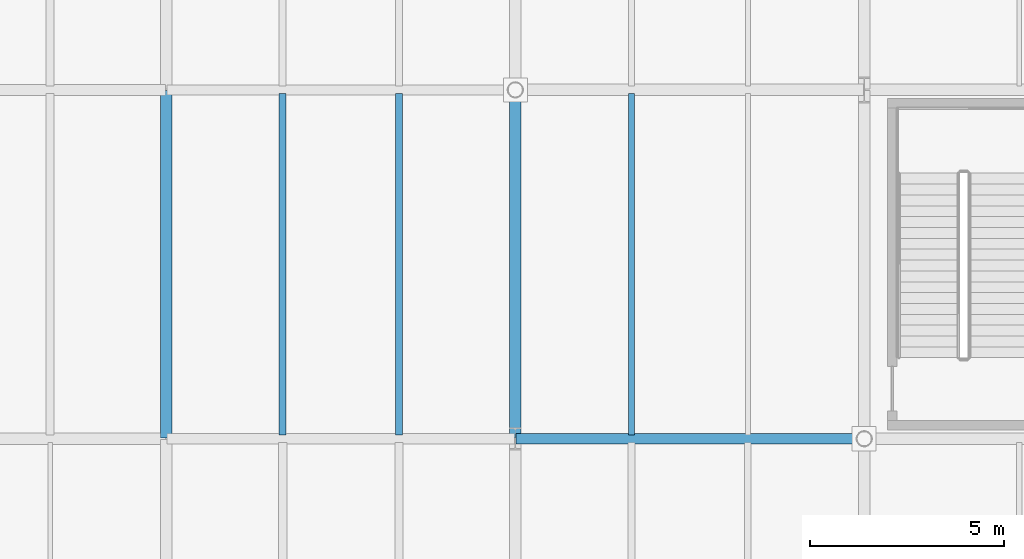
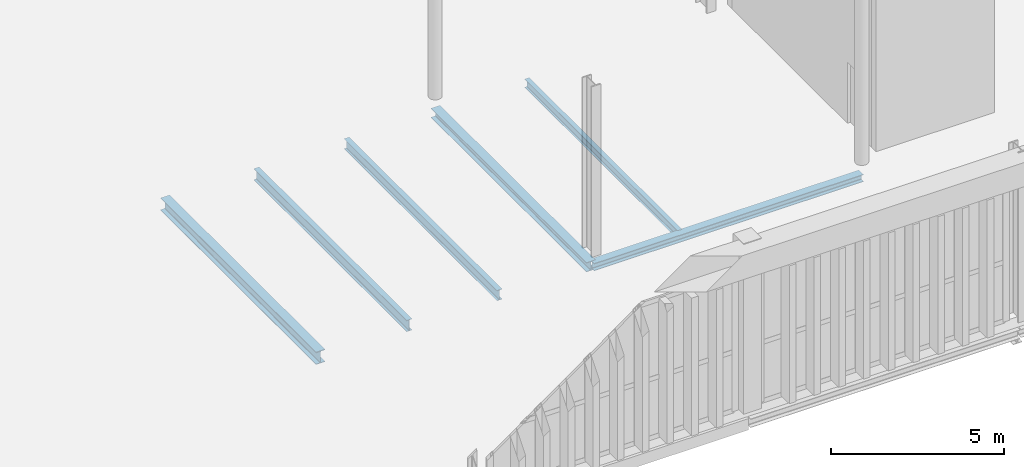
# One storey, part 118 of 237: 6 beams.
"""IFC4 building model written with IfcOpenShell, lengths in metres."""

from ifc_helpers import new_model, si_unit, direction, frame, origin, origin_2d, place, context, subcontext, project, spatial, i_section, extrude, material, material_profile, profile_set, type_object, element, save


model = new_model("IFC4")

# Units and contexts
model_context = context("Model", 3, precision=1e-05, world=origin(), true_north=direction((0.0, 1.0)))
body_context = subcontext(model_context, "Body", "Model", "MODEL_VIEW")
ifc_project = project(units=[si_unit("LENGTHUNIT", "METRE"), si_unit("AREAUNIT", "SQUARE_METRE"), si_unit("VOLUMEUNIT", "CUBIC_METRE"), si_unit("PLANEANGLEUNIT", "RADIAN"), si_unit("MASSUNIT", "GRAM", prefix="KILO")], contexts=[model_context])

# Site, building, storey
site_placement = place(None, origin())
site = spatial("IfcSite", under=ifc_project, at=site_placement, CompositionType="ELEMENT")
building_placement = place(site_placement, origin())
building = spatial("IfcBuilding", under=site, at=building_placement, Name="Barlavento Convention Centre", CompositionType="ELEMENT")
storey_placement = place(building_placement, frame((0.0, 0.0, 12.0)))
storey = spatial("IfcBuildingStorey", under=building, at=storey_placement, Name="L02", CompositionType="ELEMENT", Elevation=12.0)

# Beams
ifc_material = material(Name="Steel S355", Category="steel")
ifc_material_profile_1 = material_profile(ifc_material, i_section(OverallWidth=0.14990234375, OverallDepth=0.300048828125, WebThickness=0.007080078125, FlangeThickness=0.0107421875, FilletRadius=0.014892578125, at=origin_2d()), Name="IPE 300")
ifc_profile_set_1 = profile_set([ifc_material_profile_1], Name="Steel S355")
beam_type_1 = type_object("IfcBeamType", Name="STR-BM-JST-IPE300", PredefinedType="JOIST", material=ifc_profile_set_1)
beam_1_placement = place(storey_placement, frame((174.0, 9.094970703125, -0.52001953125), z_axis=(0.0, 1.0, 0.0), x_axis=(-1.0, 0.0, 0.0)))
element("IfcBeam", 1, at=beam_1_placement, inside=storey, type_object=beam_type_1, Name="L02 composite floor joist SJ07", PredefinedType="JOIST", context=body_context, shape_type="SweptSolid", body=[
    extrude(i_section(OverallWidth=0.14990234375, OverallDepth=0.300048828125, WebThickness=0.007080078125, FlangeThickness=0.0107421875, FilletRadius=0.014892578125, at=origin_2d()), origin(), (0.0, 0.0, 1.0), 8.81005859375),
])
ifc_material_profile_2 = material_profile(ifc_material, i_section(OverallWidth=0.169921875, OverallDepth=0.360107421875, WebThickness=0.008056640625, FlangeThickness=0.0126953125, FilletRadius=0.01806640625, at=origin_2d()), Name="IPE 360")
ifc_profile_set_2 = profile_set([ifc_material_profile_2], Name="Steel S355")
beam_type_2 = type_object("IfcBeamType", Name="STR-BM-JST-IPE360", PredefinedType="JOIST", material=ifc_profile_set_2)
beam_2_placement = place(storey_placement, frame((168.0, 9.094970703125, -0.550048828125), z_axis=(0.0, 1.0, 0.0), x_axis=(-1.0, 0.0, 0.0)))
element("IfcBeam", 2, at=beam_2_placement, inside=storey, type_object=beam_type_2, Name="L02 composite floor joist SJ05", PredefinedType="JOIST", context=body_context, shape_type="SweptSolid", body=[
    extrude(i_section(OverallWidth=0.169921875, OverallDepth=0.360107421875, WebThickness=0.008056640625, FlangeThickness=0.0126953125, FilletRadius=0.01806640625, at=origin_2d()), origin(), (0.0, 0.0, 1.0), 8.81005859375),
])
ifc_material_profile_3 = material_profile(ifc_material, i_section(OverallWidth=0.179931640625, OverallDepth=0.39990234375, WebThickness=0.008544921875, FlangeThickness=0.013427734375, FilletRadius=0.02099609375, at=origin_2d()), Name="IPE 400")
ifc_profile_set_3 = profile_set([ifc_material_profile_3], Name="Steel S355")
beam_type_3 = type_object("IfcBeamType", Name="STR-BM-JST-IPE400", PredefinedType="JOIST", material=ifc_profile_set_3)
beam_3_placement = place(storey_placement, frame((165.0, 9.094970703125, -0.570068359375), z_axis=(0.0, 1.0, 0.0), x_axis=(-1.0, 0.0, 0.0)))
element("IfcBeam", 3, at=beam_3_placement, inside=storey, type_object=beam_type_3, Name="L02 composite floor joist SJ04", PredefinedType="JOIST", context=body_context, shape_type="SweptSolid", body=[
    extrude(i_section(OverallWidth=0.179931640625, OverallDepth=0.39990234375, WebThickness=0.008544921875, FlangeThickness=0.013427734375, FilletRadius=0.02099609375, at=origin_2d()), origin(), (0.0, 0.0, 1.0), 8.81005859375),
])
ifc_material_profile_4 = material_profile(ifc_material, i_section(OverallWidth=0.300048828125, OverallDepth=0.330078125, WebThickness=0.009521484375, FlangeThickness=0.0166015625, FilletRadius=0.027099609375, at=origin_2d()), Name="HEA 340")
ifc_profile_set_4 = profile_set([ifc_material_profile_4], Name="Steel S355")
beam_type_4 = type_object("IfcBeamType", Name="STR-BM-PRI-HEA340", PredefinedType="BEAM", material=ifc_profile_set_4)
beam_4_placement = place(storey_placement, frame((171.0, 9.02001953125, -0.534912109375), z_axis=(0.0, 1.0, 0.0), x_axis=(-1.0, 0.0, 0.0)))
element("IfcBeam", 4, at=beam_4_placement, inside=storey, type_object=beam_type_4, Name="L02 grid girder BG24", PredefinedType="BEAM", context=body_context, shape_type="SweptSolid", body=[
    extrude(i_section(OverallWidth=0.300048828125, OverallDepth=0.330078125, WebThickness=0.009521484375, FlangeThickness=0.0166015625, FilletRadius=0.027099609375, at=origin_2d()), origin(), (0.0, 0.0, 1.0), 8.9599609375),
])
ifc_material_profile_5 = material_profile(ifc_material, i_section(OverallWidth=0.300048828125, OverallDepth=0.43994140625, WebThickness=0.011474609375, FlangeThickness=0.02099609375, FilletRadius=0.027099609375, at=origin_2d()), Name="HEA 450")
ifc_profile_set_5 = profile_set([ifc_material_profile_5], Name="Steel S355")
beam_type_5 = type_object("IfcBeamType", Name="STR-BM-PRI-HEA450", PredefinedType="BEAM", material=ifc_profile_set_5)
beam_5_placement = place(storey_placement, frame((162.0, 9.02001953125, -0.590087890625), z_axis=(0.0, 1.0, 0.0), x_axis=(-1.0, 0.0, 0.0)))
element("IfcBeam", 5, at=beam_5_placement, inside=storey, type_object=beam_type_5, Name="L02 grid girder BG21", PredefinedType="BEAM", context=body_context, shape_type="SweptSolid", body=[
    extrude(i_section(OverallWidth=0.300048828125, OverallDepth=0.43994140625, WebThickness=0.011474609375, FlangeThickness=0.02099609375, FilletRadius=0.027099609375, at=origin_2d()), origin(), (0.0, 0.0, 1.0), 8.9599609375),
])
ifc_material_profile_6 = material_profile(ifc_material, i_section(OverallWidth=0.260009765625, OverallDepth=0.260009765625, WebThickness=0.010009765625, FlangeThickness=0.017578125, FilletRadius=0.02392578125, at=origin_2d()), Name="HEB 260")
ifc_profile_set_6 = profile_set([ifc_material_profile_6], Name="Steel S355")
beam_type_6 = type_object("IfcBeamType", Name="STR-BM-PRI-HEB260", PredefinedType="BEAM", material=ifc_profile_set_6)
beam_6_placement = place(storey_placement, frame((171.02001953125, 9.0, -0.5), z_axis=(1.0, 0.0, 0.0), x_axis=(0.0, 1.0, 0.0)))
element("IfcBeam", 6, at=beam_6_placement, inside=storey, type_object=beam_type_6, Name="L02 primary girder BG16", PredefinedType="BEAM", context=body_context, shape_type="SweptSolid", body=[
    extrude(i_section(OverallWidth=0.260009765625, OverallDepth=0.260009765625, WebThickness=0.010009765625, FlangeThickness=0.017578125, FilletRadius=0.02392578125, at=origin_2d()), origin(), (0.0, 0.0, 1.0), 8.9599609375),
])

save(model, "model.ifc")
